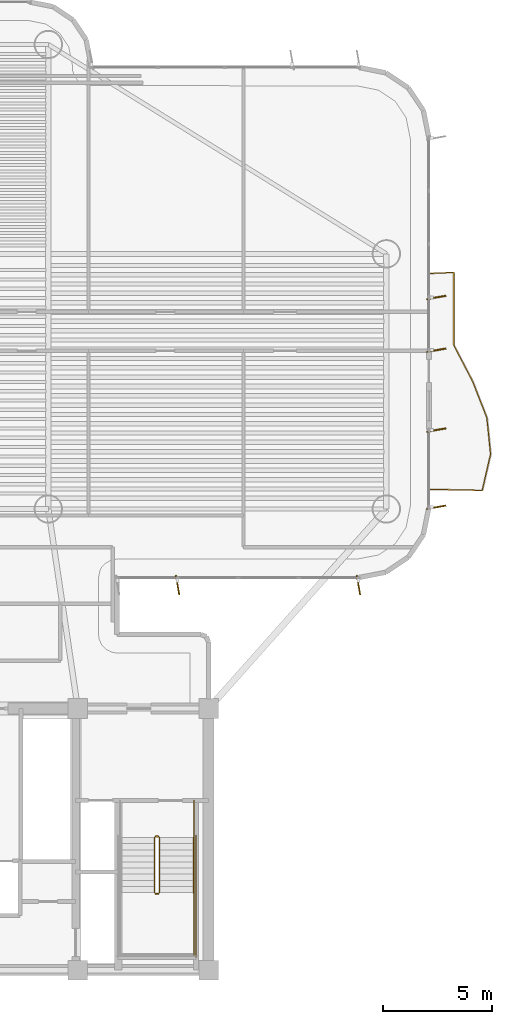
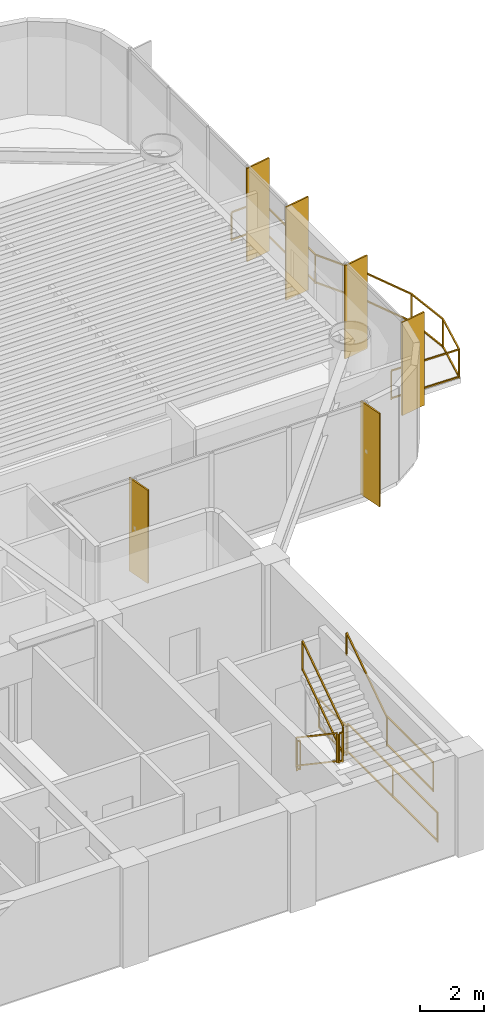
# One storey, part 15 of 16: 9 railings, 6 shading devices.
"""IFC4 building model written with IfcOpenShell, lengths in metres."""

from ifc_helpers import new_model, si_unit, direction, frame, origin, origin_2d, place, context, subcontext, project, spatial, rectangle, extrude, source, transform, mapped, material, layer, layer_set, material_profile, profile_set, type_object, element, save


model = new_model("IFC4")

# Units and contexts
model_context = context("Model", 3, precision=1e-05, world=origin(), true_north=direction((0.0, 1.0)))
body_context = subcontext(model_context, "Body", "Model", "MODEL_VIEW")
ifc_project = project(units=[si_unit("LENGTHUNIT", "METRE"), si_unit("AREAUNIT", "SQUARE_METRE"), si_unit("VOLUMEUNIT", "CUBIC_METRE"), si_unit("PLANEANGLEUNIT", "RADIAN"), si_unit("MASSUNIT", "GRAM", prefix="KILO")], contexts=[model_context])

# Site, building, storey
site_placement = place(None, origin())
site = spatial("IfcSite", under=ifc_project, at=site_placement, CompositionType="ELEMENT")
building_placement = place(site_placement, origin())
building = spatial("IfcBuilding", under=site, at=building_placement, Name="Brelvock Crest Care Tower", CompositionType="ELEMENT")
storey_placement = place(building_placement, frame((0.0, 0.0, 120.06005859375)))
storey = spatial("IfcBuildingStorey", under=building, at=storey_placement, Name="L30", CompositionType="ELEMENT", Elevation=120.06005859375)

# Railings
ifc_material_1 = material(Name="Dark Glass Double Glazed Low-E", Category="glass")
ifc_layer_1 = layer(ifc_material_1, 0.06005859375, Name="RL-BAL1")
ifc_layer_set_1 = layer_set([ifc_layer_1], Name="Dark Glass Double Glazed Low-E")
railing_type_1 = type_object("IfcRailingType", Name="RL-BAL1", PredefinedType="BALUSTRADE", material=ifc_layer_set_1)
railing_1_placement = place(storey_placement, frame((58.139892578125, 28.050048828125, 0.00390625)))
element("IfcRailing", 1, at=railing_1_placement, inside=storey, type_object=railing_type_1, Name="L30 Safety Balustrade WB-E", PredefinedType="BALUSTRADE", context=body_context, shape_type="SweptSolid", body=[
    extrude(rectangle(XDim=0.048095703125, YDim=0.048095703125, at=origin_2d()), frame((0.001953125, 0.0, 1.09619140625), z_axis=(0.999783496855, -0.020807676838, 0.0), x_axis=(0.020807676838, 0.999783496855, 0.0)), (0.0, 0.0, 1.0), 2.4013671875),
    extrude(rectangle(XDim=0.048095703125, YDim=0.048095703125, at=origin_2d()), frame((0.001953125, 0.0, 0.054931640625), z_axis=(0.999783496855, -0.020807676838, 0.0), x_axis=(0.020807676838, 0.999783496855, 0.0)), (0.0, 0.0, 1.0), 2.4013671875),
    extrude(rectangle(XDim=0.048095703125, YDim=0.048095703125, at=origin_2d()), frame((2.4052734375, -0.048095703125, 1.09619140625), z_axis=(0.22439035679, 0.974499342114, 0.0), x_axis=(-0.974499342114, 0.22439035679, 0.0)), (0.0, 0.0, 1.0), 1.706298828125),
    extrude(rectangle(XDim=0.048095703125, YDim=0.048095703125, at=origin_2d()), frame((2.4052734375, -0.048095703125, 0.054931640625), z_axis=(0.22439035679, 0.974499342114, 0.0), x_axis=(-0.974499342114, 0.22439035679, 0.0)), (0.0, 0.0, 1.0), 1.706298828125),
    extrude(rectangle(XDim=0.048095703125, YDim=0.048095703125, at=origin_2d()), frame((2.788330078125, 1.61865234375, 1.09619140625), z_axis=(-0.101148651987, 0.994871323439, 0.0), x_axis=(-0.994871323439, -0.101148651987, 0.0)), (0.0, 0.0, 1.0), 1.671142578125),
    extrude(rectangle(XDim=0.048095703125, YDim=0.048095703125, at=origin_2d()), frame((2.788330078125, 1.61865234375, 0.054931640625), z_axis=(-0.101148651987, 0.994871323439, 0.0), x_axis=(-0.994871323439, -0.101148651987, 0.0)), (0.0, 0.0, 1.0), 1.671142578125),
    extrude(rectangle(XDim=0.048095703125, YDim=0.048095703125, at=origin_2d()), frame((2.618408203125, 3.28515625, 1.09619140625), z_axis=(-0.364466206994, 0.93121661495, 0.0), x_axis=(-0.93121661495, -0.364466206994, 0.0)), (0.0, 0.0, 1.0), 1.785888671875),
    extrude(rectangle(XDim=0.048095703125, YDim=0.048095703125, at=origin_2d()), frame((2.618408203125, 3.28515625, 0.054931640625), z_axis=(-0.364466206994, 0.93121661495, 0.0), x_axis=(-0.93121661495, -0.364466206994, 0.0)), (0.0, 0.0, 1.0), 1.785888671875),
    extrude(rectangle(XDim=0.048095703125, YDim=0.048095703125, at=origin_2d()), frame((1.9658203125, 4.95166015625, 1.09619140625), z_axis=(-0.46114401417, 0.887325305733, 0.0), x_axis=(-0.887325305733, -0.46114401417, 0.0)), (0.0, 0.0, 1.0), 1.87451171875),
    extrude(rectangle(XDim=0.048095703125, YDim=0.048095703125, at=origin_2d()), frame((1.9658203125, 4.95166015625, 0.054931640625), z_axis=(-0.46114401417, 0.887325305733, 0.0), x_axis=(-0.887325305733, -0.46114401417, 0.0)), (0.0, 0.0, 1.0), 1.87451171875),
    extrude(rectangle(XDim=0.048095703125, YDim=0.048095703125, at=origin_2d()), frame((1.1005859375, 6.61865234375, 1.09619140625), z_axis=(-0.00014648795, 0.999999989271, 0.0), x_axis=(-0.999999989271, -0.00014648795, 0.0)), (0.0, 0.0, 1.0), 3.329345703125),
    extrude(rectangle(XDim=0.048095703125, YDim=0.048095703125, at=origin_2d()), frame((1.1005859375, 6.61865234375, 0.054931640625), z_axis=(-0.00014648795, 0.999999989271, 0.0), x_axis=(-0.999999989271, -0.00014648795, 0.0)), (0.0, 0.0, 1.0), 3.329345703125),
    extrude(rectangle(XDim=0.048095703125, YDim=0.048095703125, at=origin_2d()), frame((1.09814453125, 9.949951171875, 1.09619140625), z_axis=(-0.998966710972, -0.045447886318, 0.0), x_axis=(0.045447886318, -0.998966710972, 0.0)), (0.0, 0.0, 1.0), 1.09716796875),
    extrude(rectangle(XDim=0.048095703125, YDim=0.048095703125, at=origin_2d()), frame((1.09814453125, 9.949951171875, 0.054931640625), z_axis=(-0.998966710972, -0.045447886318, 0.0), x_axis=(0.045447886318, -0.998966710972, 0.0)), (0.0, 0.0, 1.0), 1.09716796875),
    extrude(rectangle(XDim=0.0419921875, YDim=0.0419921875, at=origin_2d()), origin(), (0.0, 0.0, 1.0), 1.070068359375),
    extrude(rectangle(XDim=0.0419921875, YDim=0.0419921875, at=origin_2d()), frame((2.40478515625, -0.050048828125, 0.0)), (0.0, 0.0, 1.0), 1.070068359375),
    extrude(rectangle(XDim=0.0419921875, YDim=0.0419921875, at=origin_2d()), frame((2.78857421875, 1.61669921875, 0.0)), (0.0, 0.0, 1.0), 1.070068359375),
    extrude(rectangle(XDim=0.0419921875, YDim=0.0419921875, at=origin_2d()), frame((2.619140625, 3.283203125, 0.0)), (0.0, 0.0, 1.0), 1.070068359375),
    extrude(rectangle(XDim=0.0419921875, YDim=0.0419921875, at=origin_2d()), frame((1.966796875, 4.949951171875, 0.0)), (0.0, 0.0, 1.0), 1.070068359375),
    extrude(rectangle(XDim=0.0419921875, YDim=0.0419921875, at=origin_2d()), frame((1.1005859375, 6.61669921875, 0.0)), (0.0, 0.0, 1.0), 1.070068359375),
    extrude(rectangle(XDim=0.0419921875, YDim=0.0419921875, at=origin_2d()), frame((1.10009765625, 9.949951171875, 0.0)), (0.0, 0.0, 1.0), 1.070068359375),
    extrude(rectangle(XDim=0.0419921875, YDim=0.0419921875, at=origin_2d()), frame((0.0, 9.89990234375, 0.0)), (0.0, 0.0, 1.0), 1.070068359375),
])
ifc_material_2 = material(Name="Steel Grade 350", Category="steel")
ifc_layer_2 = layer(ifc_material_2, 0.050048828125, Name="RL-STG1")
ifc_layer_set_2 = layer_set([ifc_layer_2], Name="Steel Grade 350")
railing_type_2 = type_object("IfcRailingType", Name="RL-STG1", PredefinedType="GUARDRAIL", material=ifc_layer_set_2)
railing_2_placement = place(storey_placement, frame((45.52001953125, 12.080078125, 0.18896484375)))
element("IfcRailing", 2, at=railing_2_placement, inside=storey, type_object=railing_type_2, Name="L30 ST-2 stair guard 1", PredefinedType="GUARDRAIL", context=body_context, shape_type="SweptSolid", body=[
    extrude(rectangle(XDim=0.048095703125, YDim=0.048095703125, at=origin_2d()), frame((0.0, -0.001708984375, 1.116943359375), z_axis=(0.0, -0.828861706735, 0.559453546873), x_axis=(1.0, 0.0, 0.0)), (0.0, 0.0, 1.0), 3.036376953125),
    extrude(rectangle(XDim=0.048095703125, YDim=0.048095703125, at=origin_2d()), frame((0.0, -0.001708984375, 0.05615234375), z_axis=(0.0, -0.828861706735, 0.559453546873), x_axis=(1.0, 0.0, 0.0)), (0.0, 0.0, 1.0), 3.036376953125),
    extrude(rectangle(XDim=0.0419921875, YDim=0.0419921875, at=origin_2d()), origin(), (0.0, 0.0, 1.0), 1.08984375),
    extrude(rectangle(XDim=0.0419921875, YDim=0.0419921875, at=origin_2d()), frame((0.0, -2.52001953125, 1.700927734375)), (0.0, 0.0, 1.0), 1.08984375),
])
railing_3_placement = place(storey_placement, frame((45.570068359375, 9.510009765625, 1.889892578125)))
element("IfcRailing", 3, at=railing_3_placement, inside=storey, type_object=railing_type_2, Name="L30 ST-2 stair guard 2", PredefinedType="GUARDRAIL", context=body_context, shape_type="SweptSolid", body=[
    extrude(rectangle(XDim=0.048095703125, YDim=0.048095703125, at=origin_2d()), frame((0.001953125, 0.0, 1.11572265625), z_axis=(1.0, 0.0, 0.0), x_axis=(0.0, 1.0, 0.0)), (0.0, 0.0, 1.0), 0.115966796875),
    extrude(rectangle(XDim=0.048095703125, YDim=0.048095703125, at=origin_2d()), frame((0.001953125, 0.0, 0.054931640625), z_axis=(1.0, 0.0, 0.0), x_axis=(0.0, 1.0, 0.0)), (0.0, 0.0, 1.0), 0.115966796875),
    extrude(rectangle(XDim=0.0419921875, YDim=0.0419921875, at=origin_2d()), origin(), (0.0, 0.0, 1.0), 1.08984375),
    extrude(rectangle(XDim=0.0419921875, YDim=0.0419921875, at=origin_2d()), frame((0.119873046875, 0.0, 0.0)), (0.0, 0.0, 1.0), 1.08984375),
])
railing_4_placement = place(storey_placement, frame((47.320068359375, 9.56005859375, 1.889892578125)))
element("IfcRailing", 4, at=railing_4_placement, inside=storey, type_object=railing_type_2, Name="L30 ST-2 stair guard 4", PredefinedType="GUARDRAIL", context=body_context, shape_type="SweptSolid", body=[
    extrude(rectangle(XDim=0.048095703125, YDim=0.048095703125, at=origin_2d()), frame((0.0, -0.001953125, 1.11572265625), z_axis=(0.0, -1.0, 0.0), x_axis=(1.0, 0.0, 0.0)), (0.0, 0.0, 1.0), 2.856201171875),
    extrude(rectangle(XDim=0.048095703125, YDim=0.048095703125, at=origin_2d()), frame((0.0, -0.001953125, 0.054931640625), z_axis=(0.0, -1.0, 0.0), x_axis=(1.0, 0.0, 0.0)), (0.0, 0.0, 1.0), 2.856201171875),
    extrude(rectangle(XDim=0.0419921875, YDim=0.0419921875, at=origin_2d()), origin(), (0.0, 0.0, 1.0), 1.08984375),
    extrude(rectangle(XDim=0.0419921875, YDim=0.0419921875, at=origin_2d()), frame((0.0, -2.860107421875, 0.0)), (0.0, 0.0, 1.0), 1.08984375),
])
railing_5_placement = place(storey_placement, frame((45.739990234375, 9.56005859375, 2.078857421875)))
element("IfcRailing", 5, at=railing_5_placement, inside=storey, type_object=railing_type_2, Name="L30 ST-2 stair guard 6", PredefinedType="GUARDRAIL", context=body_context, shape_type="SweptSolid", body=[
    extrude(rectangle(XDim=0.048095703125, YDim=0.048095703125, at=origin_2d()), frame((0.0, 0.001708984375, 1.116943359375), z_axis=(0.0, 0.82882447046, 0.559508710537), x_axis=(-1.0, 0.0, 0.0)), (0.0, 0.0, 1.0), 3.036376953125),
    extrude(rectangle(XDim=0.048095703125, YDim=0.048095703125, at=origin_2d()), frame((0.0, 0.001708984375, 0.05615234375), z_axis=(0.0, 0.82882447046, 0.559508710537), x_axis=(-1.0, 0.0, 0.0)), (0.0, 0.0, 1.0), 3.036376953125),
    extrude(rectangle(XDim=0.0419921875, YDim=0.0419921875, at=origin_2d()), origin(), (0.0, 0.0, 1.0), 1.08984375),
    extrude(rectangle(XDim=0.0419921875, YDim=0.0419921875, at=origin_2d()), frame((0.0, 2.52001953125, 1.701171875)), (0.0, 0.0, 1.0), 1.08984375),
])
railing_6_placement = place(storey_placement, frame((45.570068359375, 12.1298828125, 0.0)))
element("IfcRailing", 6, at=railing_6_placement, inside=storey, type_object=railing_type_2, Name="L30 ST-2 stair guard 7", PredefinedType="GUARDRAIL", context=body_context, shape_type="SweptSolid", body=[
    extrude(rectangle(XDim=0.048095703125, YDim=0.048095703125, at=origin_2d()), frame((0.001953125, 0.0, 1.11572265625), z_axis=(1.0, 0.0, 0.0), x_axis=(0.0, 1.0, 0.0)), (0.0, 0.0, 1.0), 0.115966796875),
    extrude(rectangle(XDim=0.048095703125, YDim=0.048095703125, at=origin_2d()), frame((0.001953125, 0.0, 0.054931640625), z_axis=(1.0, 0.0, 0.0), x_axis=(0.0, 1.0, 0.0)), (0.0, 0.0, 1.0), 0.115966796875),
    extrude(rectangle(XDim=0.0419921875, YDim=0.0419921875, at=origin_2d()), origin(), (0.0, 0.0, 1.0), 1.08984375),
    extrude(rectangle(XDim=0.0419921875, YDim=0.0419921875, at=origin_2d()), frame((0.119873046875, 0.0, 0.0)), (0.0, 0.0, 1.0), 1.08984375),
])
railing_7_placement = place(storey_placement, frame((47.320068359375, 13.780029296875, 0.0)))
element("IfcRailing", 7, at=railing_7_placement, inside=storey, type_object=railing_type_2, Name="L30 ST-2 stair guard 9", PredefinedType="GUARDRAIL", context=body_context, shape_type="SweptSolid", body=[
    extrude(rectangle(XDim=0.048095703125, YDim=0.048095703125, at=origin_2d()), frame((0.0, -0.001953125, 1.11572265625), z_axis=(0.0, -1.0, 0.0), x_axis=(1.0, 0.0, 0.0)), (0.0, 0.0, 1.0), 1.696044921875),
    extrude(rectangle(XDim=0.048095703125, YDim=0.048095703125, at=origin_2d()), frame((0.0, -0.001953125, 0.054931640625), z_axis=(0.0, -1.0, 0.0), x_axis=(1.0, 0.0, 0.0)), (0.0, 0.0, 1.0), 1.696044921875),
    extrude(rectangle(XDim=0.0419921875, YDim=0.0419921875, at=origin_2d()), origin(), (0.0, 0.0, 1.0), 1.08984375),
    extrude(rectangle(XDim=0.0419921875, YDim=0.0419921875, at=origin_2d()), frame((0.0, -1.699951171875, 0.0)), (0.0, 0.0, 1.0), 1.08984375),
])
railing_8_placement = place(storey_placement, frame((47.419921875, 12.179931640625, 0.0)))
element("IfcRailing", 8, at=railing_8_placement, inside=storey, type_object=railing_type_2, Name="L30 ST-2 stair guard 11", PredefinedType="GUARDRAIL", context=body_context, shape_type="SweptSolid", body=[
    extrude(rectangle(XDim=0.048095703125, YDim=0.048095703125, at=origin_2d()), frame((0.0, -0.001953125, 1.11572265625), z_axis=(0.0, -1.0, 0.0), x_axis=(1.0, 0.0, 0.0)), (0.0, 0.0, 1.0), 5.575927734375),
    extrude(rectangle(XDim=0.048095703125, YDim=0.048095703125, at=origin_2d()), frame((0.0, -0.001953125, 0.054931640625), z_axis=(0.0, -1.0, 0.0), x_axis=(1.0, 0.0, 0.0)), (0.0, 0.0, 1.0), 5.575927734375),
    extrude(rectangle(XDim=0.0419921875, YDim=0.0419921875, at=origin_2d()), origin(), (0.0, 0.0, 1.0), 1.08984375),
    extrude(rectangle(XDim=0.0419921875, YDim=0.0419921875, at=origin_2d()), frame((0.0, -2.7900390625, 0.0)), (0.0, 0.0, 1.0), 1.08984375),
    extrude(rectangle(XDim=0.0419921875, YDim=0.0419921875, at=origin_2d()), frame((0.0, -5.579833984375, 0.0)), (0.0, 0.0, 1.0), 1.08984375),
])
ifc_layer_3 = layer(ifc_material_2, 0.048095703125, Name="RL-STH1")
ifc_layer_set_3 = layer_set([ifc_layer_3], Name="Steel Grade 350")
railing_type_3 = type_object("IfcRailingType", Name="RL-STH1", PredefinedType="HANDRAIL", material=ifc_layer_set_3)
railing_9_placement = place(storey_placement, frame((47.320068359375, 9.56005859375, 2.078857421875)))
element("IfcRailing", 9, at=railing_9_placement, inside=storey, type_object=railing_type_3, Name="L30 ST-2 stair handrail 2", PredefinedType="HANDRAIL", context=body_context, shape_type="SweptSolid", body=[
    extrude(rectangle(XDim=0.048095703125, YDim=0.048095703125, at=origin_2d()), frame((0.0, 0.001708984375, 0.876953125), z_axis=(0.0, 0.82882447046, 0.559508710537), x_axis=(-1.0, 0.0, 0.0)), (0.0, 0.0, 1.0), 3.036376953125),
    extrude(rectangle(XDim=0.0419921875, YDim=0.0419921875, at=origin_2d()), origin(), (0.0, 0.0, 1.0), 0.849853515625),
    extrude(rectangle(XDim=0.0419921875, YDim=0.0419921875, at=origin_2d()), frame((0.0, 2.52001953125, 1.701171875)), (0.0, 0.0, 1.0), 0.849853515625),
])

# Shading devices
ifc_material_3 = material(Name="Aluminium 6063-T6", Category="aluminium")
ifc_material_profile = material_profile(ifc_material_3, rectangle(XDim=0.054931640625, YDim=0.89990234375, at=origin_2d()), Name="FIN55x900")
ifc_profile_set = profile_set([ifc_material_profile], Name="Aluminium 6063-T6")
shading_device_type = type_object("IfcShadingDeviceType", Name="SHD-FIN1", PredefinedType="USERDEFINED", material=ifc_profile_set)
shared_shape = source(origin(), body_context, "Body", "SweptSolid", [
    extrude(rectangle(XDim=0.054931640625, YDim=0.89990234375, at=origin_2d()), origin(), (0.0, 0.0, 1.0), 3.530029296875),
])
for number, where, z_axis, x_axis, name in (
    (10, (58.43994140625, 36.85009765625, 0.0), (0.0, 0.0, 1.0), (0.173648177667, -0.984807753012, 0.0), "L30 Vertical Sunshade Fin E39A-04"),
    (11, (58.43994140625, 34.429931640625, 0.0), (0.0, 0.0, 1.0), (0.173648177667, -0.984807753012, 0.0), "L30 Vertical Sunshade Fin E39A-05"),
    (12, (58.43994140625, 30.77001953125, 0.0), (0.0, 0.0, 1.0), (0.173648177667, -0.984807753012, 0.0), "L30 Vertical Sunshade Fin E39B-01"),
    (13, (58.43994140625, 27.22998046875, 0.0), (0.0, 0.0, 1.0), (0.173648177667, -0.984807753012, 0.0), "L30 Vertical Sunshade Fin E39B-02"),
    (14, (54.8701171875, 23.659912109375, 0.0), (0.0, 0.0, 1.0), (-0.984807753012, -0.173648177667, 0.0), "L30 Vertical Sunshade Fin E44-01"),
    (15, (46.574951171875, 23.659912109375, 0.0), (0.0, 0.0, 1.0), (-0.984807753012, -0.173648177667, 0.0), "L30 Vertical Sunshade Fin E44-04"),
):
    element("IfcShadingDevice", number, at=place(storey_placement, frame(where, z_axis=z_axis, x_axis=x_axis)), inside=storey, type_object=shading_device_type, Name=name, ObjectType="FIN", PredefinedType="USERDEFINED", context=body_context, shape_type="MappedRepresentation", body=[
        mapped(shared_shape, transform((0.0, 0.0, 0.0), x_axis=(1.0, 0.0, 0.0), y_axis=(0.0, 1.0, 0.0), z_axis=(0.0, 0.0, 1.0), scale=1.0)),
    ])

save(model, "model.ifc")
